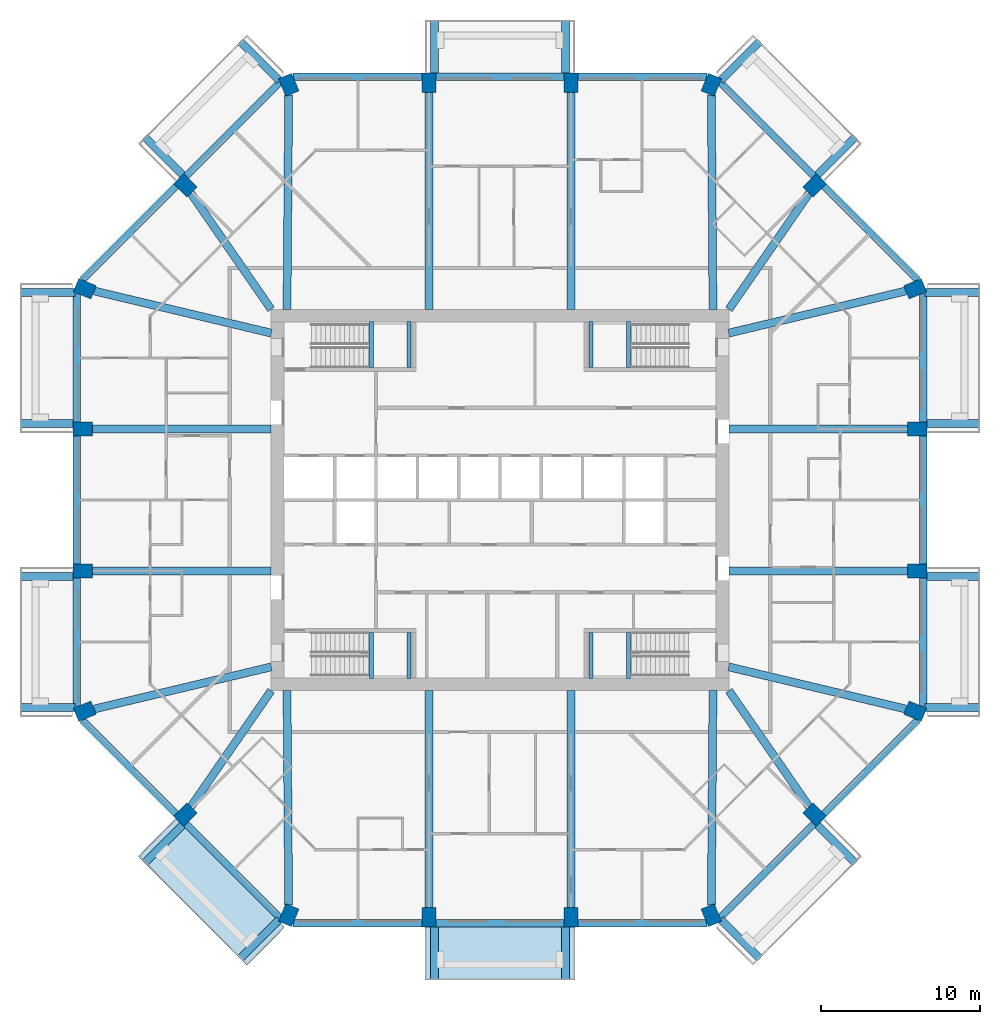
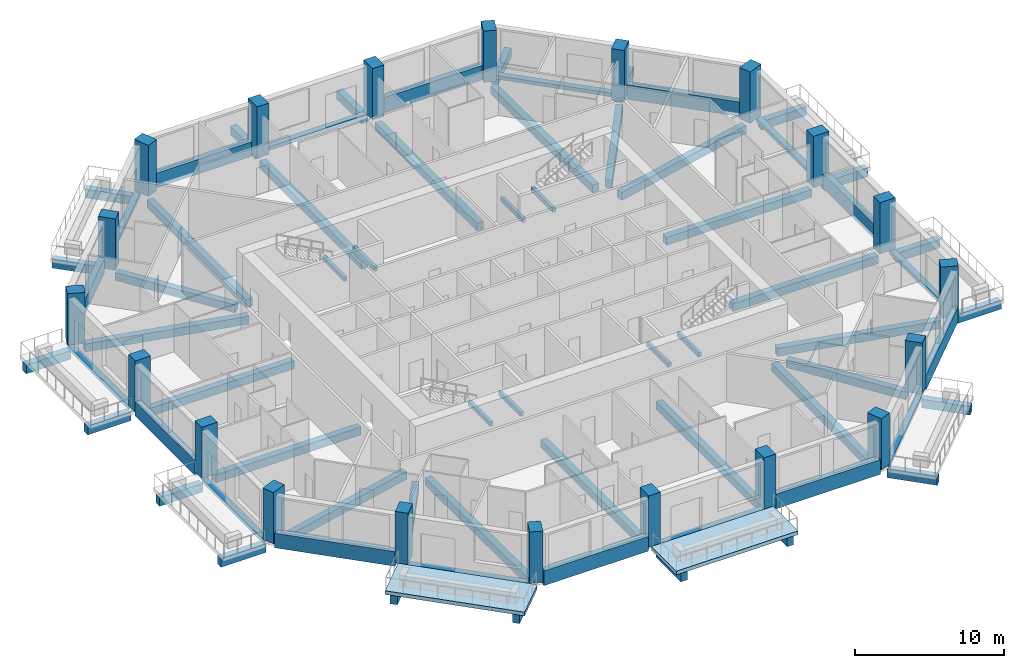
# One storey, part 1 of 13: 68 beams, 20 columns, 2 slabs.
"""IFC4 building model written with IfcOpenShell, lengths in metres."""

import ifcopenshell
import ifcopenshell.guid

model = None  # the IFC model being written
_history = None  # IfcOwnerHistory: only IFC2X3 demands one
_inside = {}  # id of a spatial element -> (the spatial element, [elements in it])
_under = {}  # id of a project, library or spatial element -> (it, [spatial elements below it])
_declared = {}  # id of a project -> (the project, [libraries it declares])
_typed = {}  # id of a type object -> (the type object, [elements of that type])
_made_of = {}  # id of a material, layer set ... -> (it, [elements and type objects made of it])


def new_model(schema):
    """Start an empty IFC model of exactly this schema.

    Asked for "IFC4X3", IfcOpenShell would pick the latest addendum, in which some entities
    have other attributes; the version numbers below select the first issue.
    IFC2X3 requires an IfcOwnerHistory on every rooted entity: one is made here for all.
    """
    global model, _history
    if schema == "IFC4X3":
        model = ifcopenshell.file(schema_version=(4, 3, 0, 0))
    else:
        model = ifcopenshell.file(schema=schema)
    _inside.clear()
    _under.clear()
    _declared.clear()
    _typed.clear()
    _made_of.clear()
    _history = None
    if model.schema == "IFC2X3":
        org = make("IfcOrganization", Name="unknown")
        user = make(
            "IfcPersonAndOrganization",
            ThePerson=make("IfcPerson", FamilyName="unknown"),
            TheOrganization=org,
        )
        app = make(
            "IfcApplication",
            ApplicationDeveloper=org,
            Version="unknown",
            ApplicationFullName="unknown",
            ApplicationIdentifier="unknown",
        )
        _history = make(
            "IfcOwnerHistory",
            OwningUser=user,
            OwningApplication=app,
            ChangeAction="ADDED",
            CreationDate=0,
        )
    return model


def make(cls, **values):
    """One entity of the class cls with the attributes given. An attribute that is None is left unset."""
    return model.create_entity(
        cls, **{name: value for name, value in values.items() if value is not None}
    )


def rooted(cls, **values):
    """An entity with a GlobalId (a new one), such as an element, a storey or a relation."""
    return make(cls, GlobalId=ifcopenshell.guid.new(), OwnerHistory=_history, **values)


def si_unit(unit_type, name, prefix=None):
    """IfcSIUnit, for example si_unit("LENGTHUNIT", "METRE", prefix="MILLI")."""
    return make("IfcSIUnit", UnitType=unit_type, Prefix=prefix, Name=name)


def assignment(units):
    """IfcUnitAssignment: the units of a project."""
    return None if units is None else make("IfcUnitAssignment", Units=units)


def point(xyz):
    """IfcCartesianPoint."""
    return None if xyz is None else make("IfcCartesianPoint", Coordinates=xyz)


def direction(xyz):
    """IfcDirection."""
    return None if xyz is None else make("IfcDirection", DirectionRatios=xyz)


def frame(location, z_axis=None, x_axis=None):
    """IfcAxis2Placement3D, a coordinate frame: its origin and axes. An axis left out is left unset."""
    return make(
        "IfcAxis2Placement3D",
        Location=point(location),
        Axis=direction(z_axis),
        RefDirection=direction(x_axis),
    )


def frame_2d(location, x_axis=None):
    """IfcAxis2Placement2D, a coordinate frame in the plane: its origin and x axis."""
    return make(
        "IfcAxis2Placement2D", Location=point(location), RefDirection=direction(x_axis)
    )


def origin():
    """The frame at (0, 0, 0) with its axes left unset."""
    return frame((0.0, 0.0, 0.0))


def origin_2d():
    """The frame at (0, 0) in the plane with its x axis left unset."""
    return frame_2d((0.0, 0.0))


def place(relative_to, where):
    """IfcLocalPlacement: puts the frame where relative to a parent placement (None: the world)."""
    return make(
        "IfcLocalPlacement", PlacementRelTo=relative_to, RelativePlacement=where
    )


def context(
    kind, dimensions, precision=None, world=None, true_north=None, identifier=None
):
    """IfcGeometricRepresentationContext, for example the 3D "Model" context."""
    return make(
        "IfcGeometricRepresentationContext",
        ContextIdentifier=identifier,
        ContextType=kind,
        CoordinateSpaceDimension=dimensions,
        Precision=precision,
        WorldCoordinateSystem=world,
        TrueNorth=true_north,
    )


def subcontext(parent, identifier, kind, view, scale=None):
    """IfcGeometricRepresentationSubContext, for example "Body" below "Model"."""
    return make(
        "IfcGeometricRepresentationSubContext",
        ContextIdentifier=identifier,
        ContextType=kind,
        ParentContext=parent,
        TargetScale=scale,
        TargetView=view,
    )


def project(units=None, contexts=None):
    """IfcProject with its units and contexts."""
    return rooted(
        "IfcProject",
        Name="project",
        RepresentationContexts=contexts,
        UnitsInContext=assignment(units),
    )


def spatial(cls, under=None, at=None, **own):
    """A site, building, storey or space (cls), placed at a placement, below another one or the project."""
    s = rooted(cls, ObjectPlacement=at, **own)
    if under is not None:
        _under.setdefault(under.id(), (under, []))[1].append(s)
    return s


def polyline(points):
    """IfcPolyline through the points."""
    return make("IfcPolyline", Points=[point(p) for p in points])


def profile(cls, at=None, kind="AREA", **sizes):
    """A parametric profile (cls). Its sizes go by their IFC names, for example OverallWidth=200.0."""
    return make(cls, ProfileType=kind, Position=at, **sizes)


def rectangle(**sizes):
    """IfcRectangleProfileDef."""
    return profile("IfcRectangleProfileDef", **sizes)


def outline(outer, holes=None, kind="AREA"):
    """IfcArbitraryClosedProfileDef: a profile drawn as a closed curve; with holes, ...WithVoids."""
    if holes is None:
        return make("IfcArbitraryClosedProfileDef", ProfileType=kind, OuterCurve=outer)
    return make(
        "IfcArbitraryProfileDefWithVoids",
        ProfileType=kind,
        OuterCurve=outer,
        InnerCurves=holes,
    )


def extrude(swept, where, along, depth):
    """IfcExtrudedAreaSolid: the profile swept, set in the frame where, extruded along a direction by depth."""
    return make(
        "IfcExtrudedAreaSolid",
        SweptArea=swept,
        Position=where,
        ExtrudedDirection=direction(along),
        Depth=depth,
    )


def shape(context_of_items, identifier, shape_type, items):
    """IfcShapeRepresentation: the items that make up one representation, for example the "Body"."""
    return make(
        "IfcShapeRepresentation",
        ContextOfItems=context_of_items,
        RepresentationIdentifier=identifier,
        RepresentationType=shape_type,
        Items=items,
    )


def material(Name=None, Category=None):
    """IfcMaterial."""
    return make("IfcMaterial", Name=Name, Category=Category)


def layer(
    of_material, thickness, ventilated=None, Name=None, Category=None, Priority=None
):
    """IfcMaterialLayer: one layer of a wall or slab, of a material (None: an air gap)."""
    return make(
        "IfcMaterialLayer",
        Material=of_material,
        LayerThickness=thickness,
        IsVentilated=ventilated,
        Name=Name,
        Category=Category,
        Priority=Priority,
    )


def layer_set(layers, Name=None):
    """IfcMaterialLayerSet."""
    return make("IfcMaterialLayerSet", MaterialLayers=layers, LayerSetName=Name)


def material_profile(
    of_material, cross_section, Name=None, Category=None, Priority=None
):
    """IfcMaterialProfile: a cross section and its material."""
    return make(
        "IfcMaterialProfile",
        Name=Name,
        Material=of_material,
        Profile=cross_section,
        Priority=Priority,
        Category=Category,
    )


def profile_set(profiles, Name=None, composite=None):
    """IfcMaterialProfileSet."""
    return make(
        "IfcMaterialProfileSet",
        Name=Name,
        MaterialProfiles=profiles,
        CompositeProfile=composite,
    )


def made_of(thing, what):
    """Note that an element or type object is made of a material, layer set ...; save() writes the relation."""
    if what is not None:
        _made_of.setdefault(what.id(), (what, []))[1].append(thing)
    return thing


def type_object(cls, material=None, **own):
    """A type object (cls), such as IfcWallType, which elements share."""
    return made_of(rooted(cls, **own), material)


def element(
    cls,
    number,
    at=None,
    inside=None,
    cuts=None,
    type_object=None,
    material=None,
    context=None,
    identifier="Body",
    shape_type=None,
    held_by="IfcProductDefinitionShape",
    body=None,
    shapes=None,
    **own,
):
    """One element of the class cls, such as IfcWall. Its Tag is "e" and its number.

    at: its placement. inside: the storey or other place that contains it. cuts: it is an
    opening in that element (IfcRelVoidsElement). A single representation is given by context,
    identifier, shape_type and body (its items); several are given by shapes. held_by: the class
    of the entity that holds the representations. save() writes the other relations.
    """
    e = rooted(cls, Tag="e%d" % number, ObjectPlacement=at, **own)
    if body is not None:
        shapes = [shape(context, identifier, shape_type, body)]
    if shapes is not None:
        e.Representation = make(held_by, Representations=shapes)
    if inside is not None:
        _inside.setdefault(inside.id(), (inside, []))[1].append(e)
    if cuts is not None:
        rooted(
            "IfcRelVoidsElement", RelatingBuildingElement=cuts, RelatedOpeningElement=e
        )
    if type_object is not None:
        _typed.setdefault(type_object.id(), (type_object, []))[1].append(e)
    return made_of(e, material)


def aggregate(whole, parts):
    """IfcRelAggregates: a whole, such as a stair, and the parts it consists of."""
    return rooted("IfcRelAggregates", RelatingObject=whole, RelatedObjects=parts)


def save(model, path):
    """Write the relations noted so far, then the file.

    IfcRelAggregates (storeys below a building ...), IfcRelContainedInSpatialStructure (elements
    in a storey), IfcRelDefinesByType, IfcRelAssociatesMaterial and IfcRelDeclares: one each for
    every whole, place, type object, material and project.
    """
    for whole, parts in _under.values():
        aggregate(whole, parts)
    for where, things in _inside.values():
        rooted(
            "IfcRelContainedInSpatialStructure",
            RelatedElements=things,
            RelatingStructure=where,
        )
    for kind, things in _typed.values():
        rooted("IfcRelDefinesByType", RelatedObjects=things, RelatingType=kind)
    for what, things in _made_of.values():
        rooted("IfcRelAssociatesMaterial", RelatedObjects=things, RelatingMaterial=what)
    for by, libraries in _declared.values():
        rooted("IfcRelDeclares", RelatingContext=by, RelatedDefinitions=libraries)
    model.write(path)


model = new_model("IFC4")

# Units and contexts
model_context = context("Model", 3, precision=1e-05, world=origin(), true_north=direction((0.0, 1.0)))
body_context = subcontext(model_context, "Body", "Model", "MODEL_VIEW")
ifc_project = project(units=[si_unit("LENGTHUNIT", "METRE"), si_unit("AREAUNIT", "SQUARE_METRE"), si_unit("VOLUMEUNIT", "CUBIC_METRE"), si_unit("PLANEANGLEUNIT", "RADIAN"), si_unit("MASSUNIT", "GRAM", prefix="KILO")], contexts=[model_context])

# Site, building, storey
site_placement = place(None, origin())
site = spatial("IfcSite", under=ifc_project, at=site_placement, CompositionType="ELEMENT")
building_placement = place(site_placement, origin())
building = spatial("IfcBuilding", under=site, at=building_placement, Name="Msitu Wima Residences", CompositionType="ELEMENT")
storey_placement = place(building_placement, frame((0.0, 0.0, 135.89990234375)))
storey = spatial("IfcBuildingStorey", under=building, at=storey_placement, Name="L31", CompositionType="ELEMENT", Elevation=135.89990234375)

# Columns
ifc_material_1 = material(Name="Concrete C70/85", Category="concrete")
ifc_material_profile_1 = material_profile(ifc_material_1, rectangle(XDim=0.89990234375, YDim=1.199951171875, at=origin_2d()), Name="RC 900x1200")
ifc_profile_set_1 = profile_set([ifc_material_profile_1], Name="Concrete C70/85")
column_type = type_object("IfcColumnType", Name="Column RC 900x1200 Concrete C70/85", PredefinedType="COLUMN", material=ifc_profile_set_1)
for number, where, z_axis, x_axis, name in (
    (1, (26.12353515625, -13.291259765625, 0.0), (0.0, 0.0, 1.0), (0.382683496864, 0.923879505795, 0.0), "Column L31 C-E0"),
    (2, (26.25, -4.46875, 0.0), (0.0, 0.0, 1.0), (0.0, 1.0, 0.0), "Column L31 C-E1"),
    (3, (26.25, 4.46875, 0.0), (0.0, 0.0, 1.0), (0.0, 1.0, 0.0), "Column L31 C-E2"),
    (4, (26.12353515625, 13.291259765625, 0.0), (0.0, 0.0, 1.0), (-0.382683496864, 0.923879505795, 0.0), "Column L31 C-NE0"),
    (5, (19.796875, 19.796875, 0.0), (0.0, 0.0, 1.0), (-0.707106781187, 0.707106781187, 0.0), "Column L31 C-NE1"),
    (6, (13.291259765625, 26.12353515625, 0.0), (0.0, 0.0, 1.0), (-0.923879505795, 0.382683496864, 0.0), "Column L31 C-N0"),
    (7, (4.46875, 26.25, 0.0), (0.0, 0.0, 1.0), (-1.0, 0.0, 0.0), "Column L31 C-N1"),
    (8, (-4.46875, 26.25, 0.0), (0.0, 0.0, 1.0), (-1.0, 0.0, 0.0), "Column L31 C-N2"),
    (9, (-13.291259765625, 26.12353515625, 0.0), (0.0, 0.0, 1.0), (-0.923879505795, -0.382683496864, 0.0), "Column L31 C-NW0"),
    (10, (-19.796875, 19.796875, 0.0), (0.0, 0.0, 1.0), (-0.707106781187, -0.707106781187, 0.0), "Column L31 C-NW1"),
    (11, (-26.12353515625, 13.291259765625, 0.0), (0.0, 0.0, 1.0), (-0.382683496864, -0.923879505795, 0.0), "Column L31 C-W0"),
    (12, (-26.25, 4.46875, 0.0), (0.0, 0.0, 1.0), (0.0, -1.0, 0.0), "Column L31 C-W1"),
    (13, (-26.25, -4.46875, 0.0), (0.0, 0.0, 1.0), (0.0, -1.0, 0.0), "Column L31 C-W2"),
    (14, (-26.12353515625, -13.291259765625, 0.0), (0.0, 0.0, 1.0), (0.382683496864, -0.923879505795, 0.0), "Column L31 C-SW0"),
    (15, (-19.796875, -19.796875, 0.0), (0.0, 0.0, 1.0), (0.707106781187, -0.707106781187, 0.0), "Column L31 C-SW1"),
    (16, (-13.291259765625, -26.12353515625, 0.0), (0.0, 0.0, 1.0), (0.923879505795, -0.382683496864, 0.0), "Column L31 C-S0"),
    (17, (-4.46875, -26.25, 0.0), (0.0, 0.0, 1.0), (1.0, 0.0, 0.0), "Column L31 C-S1"),
    (18, (4.46875, -26.25, 0.0), (0.0, 0.0, 1.0), (1.0, 0.0, 0.0), "Column L31 C-S2"),
    (19, (13.291259765625, -26.12353515625, 0.0), (0.0, 0.0, 1.0), (0.923879505795, 0.382683496864, 0.0), "Column L31 C-SE0"),
    (20, (19.796875, -19.796875, 0.0), (0.0, 0.0, 1.0), (0.707106781187, 0.707106781187, 0.0), "Column L31 C-SE1"),
):
    element("IfcColumn", number, at=place(storey_placement, frame(where, z_axis=z_axis, x_axis=x_axis)), inside=storey, type_object=column_type, Name=name, PredefinedType="COLUMN", context=body_context, shape_type="SweptSolid", body=[
        extrude(rectangle(XDim=0.89990234375, YDim=1.199951171875, at=origin_2d()), origin(), (0.0, 0.0, 1.0), 4.2001953125),
    ])

# Beams
ifc_material_2 = material(Name="Concrete C50/60", Category="concrete")
ifc_material_profile_2 = material_profile(ifc_material_2, rectangle(XDim=0.5, YDim=0.64990234375, at=origin_2d()), Name="RC 500x650")
ifc_profile_set_2 = profile_set([ifc_material_profile_2], Name="Concrete C50/60")
beam_type_1 = type_object("IfcBeamType", Name="Beam RC 500x650 Concrete C50/60", PredefinedType="BEAM", material=ifc_profile_set_2)
beam_1_placement = place(storey_placement, frame((25.5322265625, -13.150634765625, -0.574951171875), z_axis=(-0.972805528659, 0.231623408598, 0.0), x_axis=(-0.231623408598, -0.972805528659, 0.0)))
element("IfcBeam", 21, at=beam_1_placement, inside=storey, type_object=beam_type_1, Name="Beam L31 C-E0", PredefinedType="BEAM", context=body_context, shape_type="SweptSolid", body=[
    extrude(rectangle(XDim=0.5, YDim=0.64990234375, at=origin_2d()), origin(), (0.0, 0.0, 1.0), 11.455322265625),
])
for number, where, z_axis, x_axis, name in (
    (22, (25.64990234375, -4.46875, -0.574951171875), (-1.0, 0.0, 0.0), (0.0, -1.0, 0.0), "Beam L31 C-E1"),
    (23, (25.64990234375, 4.46875, -0.574951171875), (-1.0, 0.0, 0.0), (0.0, -1.0, 0.0), "Beam L31 C-E2"),
):
    element("IfcBeam", number, at=place(storey_placement, frame(where, z_axis=z_axis, x_axis=x_axis)), inside=storey, type_object=beam_type_1, Name=name, PredefinedType="BEAM", context=body_context, shape_type="SweptSolid", body=[
        extrude(rectangle(XDim=0.5, YDim=0.64990234375, at=origin_2d()), origin(), (0.0, 0.0, 1.0), 11.25),
    ])
beam_2_placement = place(storey_placement, frame((25.5322265625, 13.150634765625, -0.574951171875), z_axis=(-0.972805528659, -0.231623408598, 0.0), x_axis=(0.231623408598, -0.972805528659, 0.0)))
element("IfcBeam", 24, at=beam_2_placement, inside=storey, type_object=beam_type_1, Name="Beam L31 C-NE0", PredefinedType="BEAM", context=body_context, shape_type="SweptSolid", body=[
    extrude(rectangle(XDim=0.5, YDim=0.64990234375, at=origin_2d()), origin(), (0.0, 0.0, 1.0), 11.455322265625),
])
beam_3_placement = place(storey_placement, frame((19.44970703125, 19.29541015625, -0.574951171875), z_axis=(-0.569144158363, -0.822237755763, 0.0), x_axis=(0.822237755763, -0.569144158363, 0.0)))
element("IfcBeam", 25, at=beam_3_placement, inside=storey, type_object=beam_type_1, Name="Beam L31 C-NE1", PredefinedType="BEAM", context=body_context, shape_type="SweptSolid", body=[
    extrude(rectangle(XDim=0.5, YDim=0.64990234375, at=origin_2d()), origin(), (0.0, 0.0, 1.0), 8.87255859375),
])
beam_4_placement = place(storey_placement, frame((13.29638671875, 25.471923828125, -0.574951171875), z_axis=(0.007694865426, -0.999970394085, 0.0), x_axis=(0.999970394085, 0.007694865426, 0.0)))
element("IfcBeam", 26, at=beam_4_placement, inside=storey, type_object=beam_type_1, Name="Beam L31 C-N0", PredefinedType="BEAM", context=body_context, shape_type="SweptSolid", body=[
    extrude(rectangle(XDim=0.5, YDim=0.64990234375, at=origin_2d()), origin(), (0.0, 0.0, 1.0), 13.484375),
])
for number, where, z_axis, x_axis, name in (
    (27, (4.46875, 25.64990234375, -0.574951171875), (0.0, -1.0, 0.0), (1.0, 0.0, 0.0), "Beam L31 C-N1"),
    (28, (-4.46875, 25.64990234375, -0.574951171875), (0.0, -1.0, 0.0), (1.0, 0.0, 0.0), "Beam L31 C-N2"),
):
    element("IfcBeam", number, at=place(storey_placement, frame(where, z_axis=z_axis, x_axis=x_axis)), inside=storey, type_object=beam_type_1, Name=name, PredefinedType="BEAM", context=body_context, shape_type="SweptSolid", body=[
        extrude(rectangle(XDim=0.5, YDim=0.64990234375, at=origin_2d()), origin(), (0.0, 0.0, 1.0), 13.64990234375),
    ])
beam_5_placement = place(storey_placement, frame((-13.29638671875, 25.471923828125, -0.574951171875), z_axis=(-0.007694865426, -0.999970394085, 0.0), x_axis=(0.999970394085, -0.007694865426, 0.0)))
element("IfcBeam", 29, at=beam_5_placement, inside=storey, type_object=beam_type_1, Name="Beam L31 C-NW0", PredefinedType="BEAM", context=body_context, shape_type="SweptSolid", body=[
    extrude(rectangle(XDim=0.5, YDim=0.64990234375, at=origin_2d()), origin(), (0.0, 0.0, 1.0), 13.484375),
])
beam_6_placement = place(storey_placement, frame((-19.44970703125, 19.29541015625, -0.574951171875), z_axis=(0.569144158363, -0.822237755763, 0.0), x_axis=(0.822237755763, 0.569144158363, 0.0)))
element("IfcBeam", 30, at=beam_6_placement, inside=storey, type_object=beam_type_1, Name="Beam L31 C-NW1", PredefinedType="BEAM", context=body_context, shape_type="SweptSolid", body=[
    extrude(rectangle(XDim=0.5, YDim=0.64990234375, at=origin_2d()), origin(), (0.0, 0.0, 1.0), 8.87255859375),
])
beam_7_placement = place(storey_placement, frame((-25.5322265625, 13.150634765625, -0.574951171875), z_axis=(0.972805528659, -0.231623408598, 0.0), x_axis=(0.231623408598, 0.972805528659, 0.0)))
element("IfcBeam", 31, at=beam_7_placement, inside=storey, type_object=beam_type_1, Name="Beam L31 C-W0", PredefinedType="BEAM", context=body_context, shape_type="SweptSolid", body=[
    extrude(rectangle(XDim=0.5, YDim=0.64990234375, at=origin_2d()), origin(), (0.0, 0.0, 1.0), 11.455322265625),
])
for number, where, z_axis, x_axis, name in (
    (32, (-25.64990234375, 4.46875, -0.574951171875), (1.0, 0.0, 0.0), (0.0, 1.0, 0.0), "Beam L31 C-W1"),
    (33, (-25.64990234375, -4.46875, -0.574951171875), (1.0, 0.0, 0.0), (0.0, 1.0, 0.0), "Beam L31 C-W2"),
):
    element("IfcBeam", number, at=place(storey_placement, frame(where, z_axis=z_axis, x_axis=x_axis)), inside=storey, type_object=beam_type_1, Name=name, PredefinedType="BEAM", context=body_context, shape_type="SweptSolid", body=[
        extrude(rectangle(XDim=0.5, YDim=0.64990234375, at=origin_2d()), origin(), (0.0, 0.0, 1.0), 11.25),
    ])
beam_8_placement = place(storey_placement, frame((-25.5322265625, -13.150634765625, -0.574951171875), z_axis=(0.972805528659, 0.231623408598, 0.0), x_axis=(-0.231623408598, 0.972805528659, 0.0)))
element("IfcBeam", 34, at=beam_8_placement, inside=storey, type_object=beam_type_1, Name="Beam L31 C-SW0", PredefinedType="BEAM", context=body_context, shape_type="SweptSolid", body=[
    extrude(rectangle(XDim=0.5, YDim=0.64990234375, at=origin_2d()), origin(), (0.0, 0.0, 1.0), 11.455322265625),
])
beam_9_placement = place(storey_placement, frame((-19.44970703125, -19.29541015625, -0.574951171875), z_axis=(0.569144158363, 0.822237755763, 0.0), x_axis=(-0.822237755763, 0.569144158363, 0.0)))
element("IfcBeam", 35, at=beam_9_placement, inside=storey, type_object=beam_type_1, Name="Beam L31 C-SW1", PredefinedType="BEAM", context=body_context, shape_type="SweptSolid", body=[
    extrude(rectangle(XDim=0.5, YDim=0.64990234375, at=origin_2d()), origin(), (0.0, 0.0, 1.0), 8.87255859375),
])
beam_10_placement = place(storey_placement, frame((-13.29638671875, -25.471923828125, -0.574951171875), z_axis=(-0.007694865426, 0.999970394085, 0.0), x_axis=(-0.999970394085, -0.007694865426, 0.0)))
element("IfcBeam", 36, at=beam_10_placement, inside=storey, type_object=beam_type_1, Name="Beam L31 C-S0", PredefinedType="BEAM", context=body_context, shape_type="SweptSolid", body=[
    extrude(rectangle(XDim=0.5, YDim=0.64990234375, at=origin_2d()), origin(), (0.0, 0.0, 1.0), 13.484375),
])
for number, where, z_axis, x_axis, name in (
    (37, (-4.46875, -25.64990234375, -0.574951171875), (0.0, 1.0, 0.0), (-1.0, 0.0, 0.0), "Beam L31 C-S1"),
    (38, (4.46875, -25.64990234375, -0.574951171875), (0.0, 1.0, 0.0), (-1.0, 0.0, 0.0), "Beam L31 C-S2"),
):
    element("IfcBeam", number, at=place(storey_placement, frame(where, z_axis=z_axis, x_axis=x_axis)), inside=storey, type_object=beam_type_1, Name=name, PredefinedType="BEAM", context=body_context, shape_type="SweptSolid", body=[
        extrude(rectangle(XDim=0.5, YDim=0.64990234375, at=origin_2d()), origin(), (0.0, 0.0, 1.0), 13.64990234375),
    ])
beam_11_placement = place(storey_placement, frame((13.29638671875, -25.471923828125, -0.574951171875), z_axis=(0.007694865426, 0.999970394085, 0.0), x_axis=(-0.999970394085, 0.007694865426, 0.0)))
element("IfcBeam", 39, at=beam_11_placement, inside=storey, type_object=beam_type_1, Name="Beam L31 C-SE0", PredefinedType="BEAM", context=body_context, shape_type="SweptSolid", body=[
    extrude(rectangle(XDim=0.5, YDim=0.64990234375, at=origin_2d()), origin(), (0.0, 0.0, 1.0), 13.484375),
])
beam_12_placement = place(storey_placement, frame((19.44970703125, -19.29541015625, -0.574951171875), z_axis=(-0.569144158363, 0.822237755763, 0.0), x_axis=(-0.822237755763, -0.569144158363, 0.0)))
element("IfcBeam", 40, at=beam_12_placement, inside=storey, type_object=beam_type_1, Name="Beam L31 C-SE1", PredefinedType="BEAM", context=body_context, shape_type="SweptSolid", body=[
    extrude(rectangle(XDim=0.5, YDim=0.64990234375, at=origin_2d()), origin(), (0.0, 0.0, 1.0), 8.87255859375),
])
ifc_material_profile_3 = material_profile(ifc_material_2, rectangle(XDim=0.5, YDim=0.699951171875, at=origin_2d()), Name="RC 500x700")
ifc_profile_set_3 = profile_set([ifc_material_profile_3], Name="Concrete C50/60")
beam_type_2 = type_object("IfcBeamType", Name="Cantilever beam RC 500x700 Concrete C50/60", PredefinedType="BEAM", material=ifc_profile_set_3)
beam_13_placement = place(storey_placement, frame((26.73095703125, -13.055908203125, -0.64990234375), z_axis=(1.0, 0.0, 0.0), x_axis=(0.0, 1.0, 0.0)))
element("IfcBeam", 41, at=beam_13_placement, inside=storey, type_object=beam_type_2, Name="Cantilever beam L31 BA-E0 A", PredefinedType="BEAM", context=body_context, shape_type="SweptSolid", body=[
    extrude(rectangle(XDim=0.5, YDim=0.699951171875, at=origin_2d()), origin(), (0.0, 0.0, 1.0), 3.468994140625),
])
for number, where, z_axis, x_axis, name in (
    (42, (26.85009765625, -4.818603515625, -0.64990234375), (1.0, 0.0, 0.0), (0.0, 1.0, 0.0), "Cantilever beam L31 BA-E0 B"),
    (43, (26.85009765625, 4.818603515625, -0.64990234375), (1.0, 0.0, 0.0), (0.0, 1.0, 0.0), "Cantilever beam L31 BA-E2 A"),
):
    element("IfcBeam", number, at=place(storey_placement, frame(where, z_axis=z_axis, x_axis=x_axis)), inside=storey, type_object=beam_type_2, Name=name, PredefinedType="BEAM", context=body_context, shape_type="SweptSolid", body=[
        extrude(rectangle(XDim=0.5, YDim=0.699951171875, at=origin_2d()), origin(), (0.0, 0.0, 1.0), 3.349853515625),
    ])
beam_14_placement = place(storey_placement, frame((26.73095703125, 13.055908203125, -0.64990234375), z_axis=(1.0, 0.0, 0.0), x_axis=(0.0, 1.0, 0.0)))
element("IfcBeam", 44, at=beam_14_placement, inside=storey, type_object=beam_type_2, Name="Cantilever beam L31 BA-E2 B", PredefinedType="BEAM", context=body_context, shape_type="SweptSolid", body=[
    extrude(rectangle(XDim=0.5, YDim=0.699951171875, at=origin_2d()), origin(), (0.0, 0.0, 1.0), 3.468994140625),
])
beam_15_placement = place(storey_placement, frame((19.9736328125, 20.46875, -0.64990234375), z_axis=(0.707143219659, 0.707070340836, 0.0), x_axis=(-0.707070340836, 0.707143219659, 0.0)))
element("IfcBeam", 45, at=beam_15_placement, inside=storey, type_object=beam_type_2, Name="Cantilever beam L31 BA-NE1 A", PredefinedType="BEAM", context=body_context, shape_type="SweptSolid", body=[
    extrude(rectangle(XDim=0.5, YDim=0.699951171875, at=origin_2d()), origin(), (0.0, 0.0, 1.0), 3.349853515625),
])
beam_16_placement = place(storey_placement, frame((13.887451171875, 26.386474609375, -0.64990234375), z_axis=(0.707071592116, 0.707141968506, 0.0), x_axis=(-0.707141968506, 0.707071592116, 0.0)))
element("IfcBeam", 46, at=beam_16_placement, inside=storey, type_object=beam_type_2, Name="Cantilever beam L31 BA-NE1 B", PredefinedType="BEAM", context=body_context, shape_type="SweptSolid", body=[
    extrude(rectangle(XDim=0.5, YDim=0.699951171875, at=origin_2d()), origin(), (0.0, 0.0, 1.0), 3.468994140625),
])
for number, where, z_axis, x_axis, name in (
    (47, (4.11865234375, 26.85009765625, -0.64990234375), (0.0, 1.0, 0.0), (-1.0, 0.0, 0.0), "Cantilever beam L31 BA-N1 A"),
    (48, (-4.11865234375, 26.85009765625, -0.64990234375), (0.0, 1.0, 0.0), (-1.0, 0.0, 0.0), "Cantilever beam L31 BA-N1 B"),
):
    element("IfcBeam", number, at=place(storey_placement, frame(where, z_axis=z_axis, x_axis=x_axis)), inside=storey, type_object=beam_type_2, Name=name, PredefinedType="BEAM", context=body_context, shape_type="SweptSolid", body=[
        extrude(rectangle(XDim=0.5, YDim=0.699951171875, at=origin_2d()), origin(), (0.0, 0.0, 1.0), 3.349853515625),
    ])
beam_17_placement = place(storey_placement, frame((-13.887451171875, 26.386474609375, -0.64990234375), z_axis=(-0.707071592116, 0.707141968506, 0.0), x_axis=(-0.707141968506, -0.707071592116, 0.0)))
element("IfcBeam", 49, at=beam_17_placement, inside=storey, type_object=beam_type_2, Name="Cantilever beam L31 BA-NW0 A", PredefinedType="BEAM", context=body_context, shape_type="SweptSolid", body=[
    extrude(rectangle(XDim=0.5, YDim=0.699951171875, at=origin_2d()), origin(), (0.0, 0.0, 1.0), 3.468994140625),
])
beam_18_placement = place(storey_placement, frame((-19.9736328125, 20.46875, -0.64990234375), z_axis=(-0.707143219659, 0.707070340836, 0.0), x_axis=(-0.707070340836, -0.707143219659, 0.0)))
element("IfcBeam", 50, at=beam_18_placement, inside=storey, type_object=beam_type_2, Name="Cantilever beam L31 BA-NW0 B", PredefinedType="BEAM", context=body_context, shape_type="SweptSolid", body=[
    extrude(rectangle(XDim=0.5, YDim=0.699951171875, at=origin_2d()), origin(), (0.0, 0.0, 1.0), 3.349853515625),
])
beam_19_placement = place(storey_placement, frame((-26.73095703125, 13.055908203125, -0.64990234375), z_axis=(-1.0, 0.0, 0.0), x_axis=(0.0, -1.0, 0.0)))
element("IfcBeam", 51, at=beam_19_placement, inside=storey, type_object=beam_type_2, Name="Cantilever beam L31 BA-W0 A", PredefinedType="BEAM", context=body_context, shape_type="SweptSolid", body=[
    extrude(rectangle(XDim=0.5, YDim=0.699951171875, at=origin_2d()), origin(), (0.0, 0.0, 1.0), 3.468994140625),
])
for number, where, z_axis, x_axis, name in (
    (52, (-26.85009765625, 4.818603515625, -0.64990234375), (-1.0, 0.0, 0.0), (0.0, -1.0, 0.0), "Cantilever beam L31 BA-W0 B"),
    (53, (-26.85009765625, -4.818603515625, -0.64990234375), (-1.0, 0.0, 0.0), (0.0, -1.0, 0.0), "Cantilever beam L31 BA-W2 A"),
):
    element("IfcBeam", number, at=place(storey_placement, frame(where, z_axis=z_axis, x_axis=x_axis)), inside=storey, type_object=beam_type_2, Name=name, PredefinedType="BEAM", context=body_context, shape_type="SweptSolid", body=[
        extrude(rectangle(XDim=0.5, YDim=0.699951171875, at=origin_2d()), origin(), (0.0, 0.0, 1.0), 3.349853515625),
    ])
beam_20_placement = place(storey_placement, frame((-26.73095703125, -13.055908203125, -0.64990234375), z_axis=(-1.0, 0.0, 0.0), x_axis=(0.0, -1.0, 0.0)))
element("IfcBeam", 54, at=beam_20_placement, inside=storey, type_object=beam_type_2, Name="Cantilever beam L31 BA-W2 B", PredefinedType="BEAM", context=body_context, shape_type="SweptSolid", body=[
    extrude(rectangle(XDim=0.5, YDim=0.699951171875, at=origin_2d()), origin(), (0.0, 0.0, 1.0), 3.468994140625),
])
beam_21_placement = place(storey_placement, frame((-19.9736328125, -20.46875, -0.64990234375), z_axis=(-0.707143219659, -0.707070340836, 0.0), x_axis=(0.707070340836, -0.707143219659, 0.0)))
element("IfcBeam", 55, at=beam_21_placement, inside=storey, type_object=beam_type_2, Name="Cantilever beam L31 BA-SW1 A", PredefinedType="BEAM", context=body_context, shape_type="SweptSolid", body=[
    extrude(rectangle(XDim=0.5, YDim=0.699951171875, at=origin_2d()), origin(), (0.0, 0.0, 1.0), 3.349853515625),
])
beam_22_placement = place(storey_placement, frame((-13.887451171875, -26.386474609375, -0.64990234375), z_axis=(-0.707071592116, -0.707141968506, 0.0), x_axis=(0.707141968506, -0.707071592116, 0.0)))
element("IfcBeam", 56, at=beam_22_placement, inside=storey, type_object=beam_type_2, Name="Cantilever beam L31 BA-SW1 B", PredefinedType="BEAM", context=body_context, shape_type="SweptSolid", body=[
    extrude(rectangle(XDim=0.5, YDim=0.699951171875, at=origin_2d()), origin(), (0.0, 0.0, 1.0), 3.468994140625),
])
for number, where, z_axis, x_axis, name in (
    (57, (-4.11865234375, -26.85009765625, -0.64990234375), (0.0, -1.0, 0.0), (1.0, 0.0, 0.0), "Cantilever beam L31 BA-S1 A"),
    (58, (4.11865234375, -26.85009765625, -0.64990234375), (0.0, -1.0, 0.0), (1.0, 0.0, 0.0), "Cantilever beam L31 BA-S1 B"),
):
    element("IfcBeam", number, at=place(storey_placement, frame(where, z_axis=z_axis, x_axis=x_axis)), inside=storey, type_object=beam_type_2, Name=name, PredefinedType="BEAM", context=body_context, shape_type="SweptSolid", body=[
        extrude(rectangle(XDim=0.5, YDim=0.699951171875, at=origin_2d()), origin(), (0.0, 0.0, 1.0), 3.349853515625),
    ])
beam_23_placement = place(storey_placement, frame((13.887451171875, -26.386474609375, -0.64990234375), z_axis=(0.707071592116, -0.707141968506, 0.0), x_axis=(0.707141968506, 0.707071592116, 0.0)))
element("IfcBeam", 59, at=beam_23_placement, inside=storey, type_object=beam_type_2, Name="Cantilever beam L31 BA-SE0 A", PredefinedType="BEAM", context=body_context, shape_type="SweptSolid", body=[
    extrude(rectangle(XDim=0.5, YDim=0.699951171875, at=origin_2d()), origin(), (0.0, 0.0, 1.0), 3.468994140625),
])
beam_24_placement = place(storey_placement, frame((19.9736328125, -20.46875, -0.64990234375), z_axis=(0.707143219659, -0.707070340836, 0.0), x_axis=(0.707070340836, 0.707143219659, 0.0)))
element("IfcBeam", 60, at=beam_24_placement, inside=storey, type_object=beam_type_2, Name="Cantilever beam L31 BA-SE0 B", PredefinedType="BEAM", context=body_context, shape_type="SweptSolid", body=[
    extrude(rectangle(XDim=0.5, YDim=0.699951171875, at=origin_2d()), origin(), (0.0, 0.0, 1.0), 3.349853515625),
])
ifc_material_profile_4 = material_profile(ifc_material_2, rectangle(XDim=0.449951171875, YDim=0.300048828125, at=origin_2d()), Name="RC 450x300")
ifc_profile_set_4 = profile_set([ifc_material_profile_4], Name="Concrete C50/60")
beam_type_3 = type_object("IfcBeamType", Name="Edge beam RC 450x300 Concrete C50/60", PredefinedType="SPANDREL", material=ifc_profile_set_4)
for number, where, z_axis, x_axis, name in (
    (61, (26.625, -13.02392578125, -0.14990234375), (0.0, 1.0, 0.0), (-1.0, 0.0, 0.0), "Spandrel L31 E0"),
    (62, (26.625, 4.918701171875, -0.14990234375), (0.0, 1.0, 0.0), (-1.0, 0.0, 0.0), "Spandrel L31 E2"),
):
    element("IfcBeam", number, at=place(storey_placement, frame(where, z_axis=z_axis, x_axis=x_axis)), inside=storey, type_object=beam_type_3, Name=name, PredefinedType="SPANDREL", context=body_context, shape_type="SweptSolid", body=[
        extrude(rectangle(XDim=0.449951171875, YDim=0.300048828125, at=origin_2d()), origin(), (0.0, 0.0, 1.0), 8.105224609375),
    ])
beam_25_placement = place(storey_placement, frame((19.743896484375, 20.380126953125, -0.14990234375), z_axis=(-0.707106781187, 0.707106781187, 0.0), x_axis=(-0.707106781187, -0.707106781187, 0.0)))
element("IfcBeam", 63, at=beam_25_placement, inside=storey, type_object=beam_type_3, Name="Spandrel L31 NE1", PredefinedType="SPANDREL", context=body_context, shape_type="SweptSolid", body=[
    extrude(rectangle(XDim=0.449951171875, YDim=0.300048828125, at=origin_2d()), origin(), (0.0, 0.0, 1.0), 8.3564453125),
])
beam_26_placement = place(storey_placement, frame((4.0185546875, 26.625, -0.14990234375), z_axis=(-1.0, 0.0, 0.0), x_axis=(0.0, -1.0, 0.0)))
element("IfcBeam", 64, at=beam_26_placement, inside=storey, type_object=beam_type_3, Name="Spandrel L31 N1", PredefinedType="SPANDREL", context=body_context, shape_type="SweptSolid", body=[
    extrude(rectangle(XDim=0.449951171875, YDim=0.300048828125, at=origin_2d()), origin(), (0.0, 0.0, 1.0), 8.037109375),
])
beam_27_placement = place(storey_placement, frame((-13.8349609375, 26.2890625, -0.14990234375), z_axis=(-0.707106781187, -0.707106781187, 0.0), x_axis=(0.707106781187, -0.707106781187, 0.0)))
element("IfcBeam", 65, at=beam_27_placement, inside=storey, type_object=beam_type_3, Name="Spandrel L31 NW0", PredefinedType="SPANDREL", context=body_context, shape_type="SweptSolid", body=[
    extrude(rectangle(XDim=0.449951171875, YDim=0.300048828125, at=origin_2d()), origin(), (0.0, 0.0, 1.0), 8.3564453125),
])
for number, where, z_axis, x_axis, name in (
    (66, (-26.625, 13.02392578125, -0.14990234375), (0.0, -1.0, 0.0), (1.0, 0.0, 0.0), "Spandrel L31 W0"),
    (67, (-26.625, -4.918701171875, -0.14990234375), (0.0, -1.0, 0.0), (1.0, 0.0, 0.0), "Spandrel L31 W2"),
):
    element("IfcBeam", number, at=place(storey_placement, frame(where, z_axis=z_axis, x_axis=x_axis)), inside=storey, type_object=beam_type_3, Name=name, PredefinedType="SPANDREL", context=body_context, shape_type="SweptSolid", body=[
        extrude(rectangle(XDim=0.449951171875, YDim=0.300048828125, at=origin_2d()), origin(), (0.0, 0.0, 1.0), 8.105224609375),
    ])
beam_28_placement = place(storey_placement, frame((-19.743896484375, -20.380126953125, -0.14990234375), z_axis=(0.707106781187, -0.707106781187, 0.0), x_axis=(0.707106781187, 0.707106781187, 0.0)))
element("IfcBeam", 68, at=beam_28_placement, inside=storey, type_object=beam_type_3, Name="Spandrel L31 SW1", PredefinedType="SPANDREL", context=body_context, shape_type="SweptSolid", body=[
    extrude(rectangle(XDim=0.449951171875, YDim=0.300048828125, at=origin_2d()), origin(), (0.0, 0.0, 1.0), 8.3564453125),
])
beam_29_placement = place(storey_placement, frame((-4.0185546875, -26.625, -0.14990234375), z_axis=(1.0, 0.0, 0.0), x_axis=(0.0, 1.0, 0.0)))
element("IfcBeam", 69, at=beam_29_placement, inside=storey, type_object=beam_type_3, Name="Spandrel L31 S1", PredefinedType="SPANDREL", context=body_context, shape_type="SweptSolid", body=[
    extrude(rectangle(XDim=0.449951171875, YDim=0.300048828125, at=origin_2d()), origin(), (0.0, 0.0, 1.0), 8.037109375),
])
beam_30_placement = place(storey_placement, frame((13.8349609375, -26.2890625, -0.14990234375), z_axis=(0.707106781187, 0.707106781187, 0.0), x_axis=(-0.707106781187, 0.707106781187, 0.0)))
element("IfcBeam", 70, at=beam_30_placement, inside=storey, type_object=beam_type_3, Name="Spandrel L31 SE0", PredefinedType="SPANDREL", context=body_context, shape_type="SweptSolid", body=[
    extrude(rectangle(XDim=0.449951171875, YDim=0.300048828125, at=origin_2d()), origin(), (0.0, 0.0, 1.0), 8.3564453125),
])
ifc_material_3 = material(Name="Concrete C40/50", Category="concrete")
ifc_material_profile_5 = material_profile(ifc_material_3, rectangle(XDim=0.25, YDim=0.35009765625, at=origin_2d()), Name="RC 250x350")
ifc_profile_set_5 = profile_set([ifc_material_profile_5], Name="Concrete C40/50")
beam_type_4 = type_object("IfcBeamType", Name="Landing beam RC 250x350", PredefinedType="BEAM", material=ifc_profile_set_5)
for number, where, z_axis, x_axis, name in (
    (71, (-8.074951171875, 8.324951171875, 1.72509765625), (0.0, 1.0, 0.0), (-1.0, 0.0, 0.0), "Stair 1 landing beam"),
    (72, (-5.72509765625, 8.324951171875, 1.72509765625), (0.0, 1.0, 0.0), (-1.0, 0.0, 0.0), "Stair 1 landing beam"),
    (73, (-8.074951171875, -11.22509765625, 1.72509765625), (0.0, 1.0, 0.0), (-1.0, 0.0, 0.0), "Stair 2 landing beam"),
    (74, (-5.72509765625, -11.22509765625, 1.72509765625), (0.0, 1.0, 0.0), (-1.0, 0.0, 0.0), "Stair 2 landing beam"),
    (75, (8.074951171875, 8.324951171875, 1.72509765625), (0.0, 1.0, 0.0), (-1.0, 0.0, 0.0), "Stair 3 landing beam"),
    (76, (5.72509765625, 8.324951171875, 1.72509765625), (0.0, 1.0, 0.0), (-1.0, 0.0, 0.0), "Stair 3 landing beam"),
    (77, (8.074951171875, -11.22509765625, 1.72509765625), (0.0, 1.0, 0.0), (-1.0, 0.0, 0.0), "Stair 4 landing beam"),
    (78, (5.72509765625, -11.22509765625, 1.72509765625), (0.0, 1.0, 0.0), (-1.0, 0.0, 0.0), "Stair 4 landing beam"),
):
    element("IfcBeam", number, at=place(storey_placement, frame(where, z_axis=z_axis, x_axis=x_axis)), inside=storey, type_object=beam_type_4, Name=name, PredefinedType="BEAM", context=body_context, shape_type="SweptSolid", body=[
        extrude(rectangle(XDim=0.25, YDim=0.35009765625, at=origin_2d()), origin(), (0.0, 0.0, 1.0), 2.900146484375),
    ])
ifc_material_profile_6 = material_profile(ifc_material_2, rectangle(XDim=0.449951171875, YDim=1.199951171875, at=origin_2d()), Name="RC 450x1200")
ifc_profile_set_6 = profile_set([ifc_material_profile_6], Name="Concrete C50/60")
beam_type_5 = type_object("IfcBeamType", Name="Spandrel RC 450x1200 Concrete C50/60", PredefinedType="SPANDREL", material=ifc_profile_set_6)
beam_31_placement = place(storey_placement, frame((26.625, -4.0185546875, 0.300048828125), z_axis=(0.0, 1.0, 0.0), x_axis=(-1.0, 0.0, 0.0)))
element("IfcBeam", 79, at=beam_31_placement, inside=storey, type_object=beam_type_5, Name="Spandrel L31 E1", PredefinedType="SPANDREL", context=body_context, shape_type="SweptSolid", body=[
    extrude(rectangle(XDim=0.449951171875, YDim=1.199951171875, at=origin_2d()), origin(), (0.0, 0.0, 1.0), 8.037109375),
])
beam_32_placement = place(storey_placement, frame((26.2890625, 13.8349609375, 0.300048828125), z_axis=(-0.707106781187, 0.707106781187, 0.0), x_axis=(-0.707106781187, -0.707106781187, 0.0)))
element("IfcBeam", 80, at=beam_32_placement, inside=storey, type_object=beam_type_5, Name="Spandrel L31 NE0", PredefinedType="SPANDREL", context=body_context, shape_type="SweptSolid", body=[
    extrude(rectangle(XDim=0.449951171875, YDim=1.199951171875, at=origin_2d()), origin(), (0.0, 0.0, 1.0), 8.3564453125),
])
for number, where, z_axis, x_axis, name in (
    (81, (13.02392578125, 26.625, 0.300048828125), (-1.0, 0.0, 0.0), (0.0, -1.0, 0.0), "Spandrel L31 N0"),
    (82, (-4.918701171875, 26.625, 0.300048828125), (-1.0, 0.0, 0.0), (0.0, -1.0, 0.0), "Spandrel L31 N2"),
):
    element("IfcBeam", number, at=place(storey_placement, frame(where, z_axis=z_axis, x_axis=x_axis)), inside=storey, type_object=beam_type_5, Name=name, PredefinedType="SPANDREL", context=body_context, shape_type="SweptSolid", body=[
        extrude(rectangle(XDim=0.449951171875, YDim=1.199951171875, at=origin_2d()), origin(), (0.0, 0.0, 1.0), 8.105224609375),
    ])
beam_33_placement = place(storey_placement, frame((-20.380126953125, 19.743896484375, 0.300048828125), z_axis=(-0.707106781187, -0.707106781187, 0.0), x_axis=(0.707106781187, -0.707106781187, 0.0)))
element("IfcBeam", 83, at=beam_33_placement, inside=storey, type_object=beam_type_5, Name="Spandrel L31 NW1", PredefinedType="SPANDREL", context=body_context, shape_type="SweptSolid", body=[
    extrude(rectangle(XDim=0.449951171875, YDim=1.199951171875, at=origin_2d()), origin(), (0.0, 0.0, 1.0), 8.3564453125),
])
beam_34_placement = place(storey_placement, frame((-26.625, 4.0185546875, 0.300048828125), z_axis=(0.0, -1.0, 0.0), x_axis=(1.0, 0.0, 0.0)))
element("IfcBeam", 84, at=beam_34_placement, inside=storey, type_object=beam_type_5, Name="Spandrel L31 W1", PredefinedType="SPANDREL", context=body_context, shape_type="SweptSolid", body=[
    extrude(rectangle(XDim=0.449951171875, YDim=1.199951171875, at=origin_2d()), origin(), (0.0, 0.0, 1.0), 8.037109375),
])
beam_35_placement = place(storey_placement, frame((-26.2890625, -13.8349609375, 0.300048828125), z_axis=(0.707106781187, -0.707106781187, 0.0), x_axis=(0.707106781187, 0.707106781187, 0.0)))
element("IfcBeam", 85, at=beam_35_placement, inside=storey, type_object=beam_type_5, Name="Spandrel L31 SW0", PredefinedType="SPANDREL", context=body_context, shape_type="SweptSolid", body=[
    extrude(rectangle(XDim=0.449951171875, YDim=1.199951171875, at=origin_2d()), origin(), (0.0, 0.0, 1.0), 8.3564453125),
])
for number, where, z_axis, x_axis, name in (
    (86, (-13.02392578125, -26.625, 0.300048828125), (1.0, 0.0, 0.0), (0.0, 1.0, 0.0), "Spandrel L31 S0"),
    (87, (4.918701171875, -26.625, 0.300048828125), (1.0, 0.0, 0.0), (0.0, 1.0, 0.0), "Spandrel L31 S2"),
):
    element("IfcBeam", number, at=place(storey_placement, frame(where, z_axis=z_axis, x_axis=x_axis)), inside=storey, type_object=beam_type_5, Name=name, PredefinedType="SPANDREL", context=body_context, shape_type="SweptSolid", body=[
        extrude(rectangle(XDim=0.449951171875, YDim=1.199951171875, at=origin_2d()), origin(), (0.0, 0.0, 1.0), 8.105224609375),
    ])
beam_36_placement = place(storey_placement, frame((20.380126953125, -19.743896484375, 0.300048828125), z_axis=(0.707106781187, 0.707106781187, 0.0), x_axis=(-0.707106781187, 0.707106781187, 0.0)))
element("IfcBeam", 88, at=beam_36_placement, inside=storey, type_object=beam_type_5, Name="Spandrel L31 SE1", PredefinedType="SPANDREL", context=body_context, shape_type="SweptSolid", body=[
    extrude(rectangle(XDim=0.449951171875, YDim=1.199951171875, at=origin_2d()), origin(), (0.0, 0.0, 1.0), 8.3564453125),
])

# Slabs
ifc_layer = layer(ifc_material_3, 0.300048828125)
ifc_layer_set = layer_set([ifc_layer], Name="Concrete C40/50")
slab_type = type_object("IfcSlabType", Name="Balcony slab BS300", PredefinedType="FLOOR", material=ifc_layer_set)
slab_1_placement = place(storey_placement, frame((0.0, 0.0, -0.2998046875)))
element("IfcSlab", 89, at=slab_1_placement, inside=storey, type_object=slab_type, Name="Balcony SW1 L31", PredefinedType="FLOOR", context=body_context, shape_type="SweptSolid", body=[
    extrude(outline(polyline([(-15.916015625, -29.263671875), (-22.766845703125, -22.4130859375), (-20.39794921875, -20.04443359375), (-13.59228515625, -26.85009765625), (-13.656005859375, -27.003662109375), (-15.916015625, -29.263671875)])), origin(), (0.0, 0.0, 1.0), 0.2998046875),
])
slab_2_placement = place(storey_placement, frame((0.0, 0.0, -0.2998046875)))
element("IfcSlab", 90, at=slab_2_placement, inside=storey, type_object=slab_type, Name="Balcony S1 L31", PredefinedType="FLOOR", context=body_context, shape_type="SweptSolid", body=[
    extrude(outline(polyline([(4.0185546875, -26.85009765625), (4.0185546875, -26.85009765625), (4.71875, -26.85009765625), (4.71875, -30.199951171875), (-4.71875, -30.199951171875), (-4.71875, -26.85009765625), (-4.0185546875, -26.85009765625), (-4.0185546875, -26.85009765625), (4.0185546875, -26.85009765625)])), origin(), (0.0, 0.0, 1.0), 0.2998046875),
])

save(model, "model.ifc")
